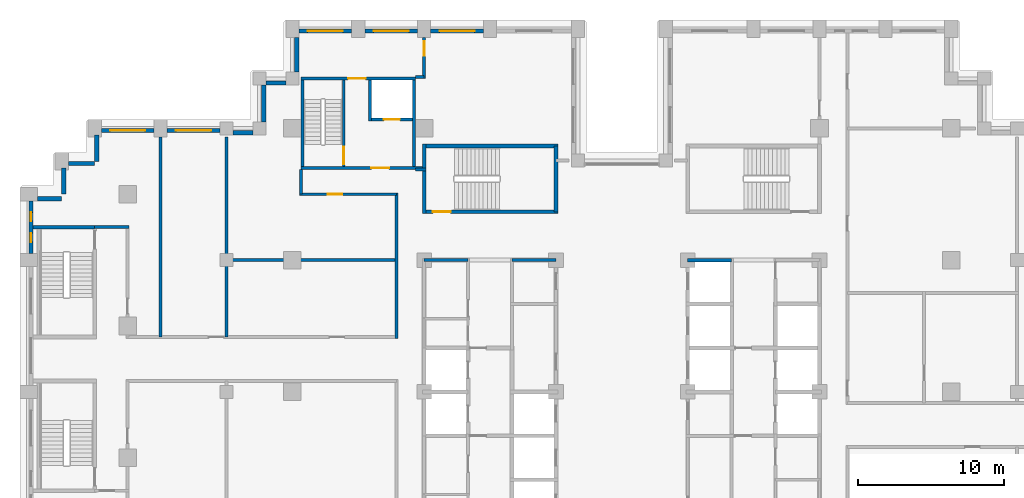
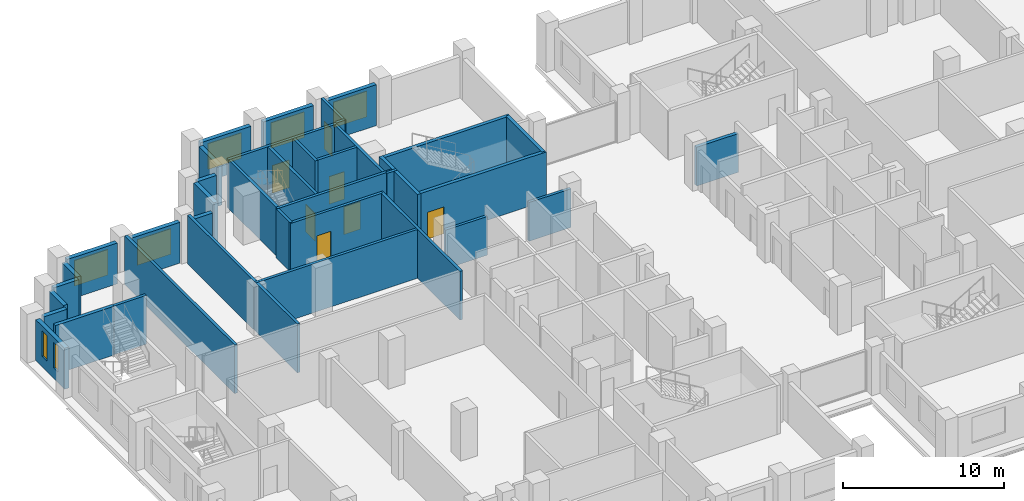
# One storey, part 10 of 16: 39 walls, 7 doors, 7 windows, 14 openings.
"""IFC4 building model written with IfcOpenShell, lengths in metres."""

from ifc_helpers import new_model, si_unit, direction, frame, frame_2d, origin, place, context, subcontext, project, spatial, rectangle, extrude, material, layer, layer_set, type_object, element, fill, save


model = new_model("IFC4")

# Units and contexts
model_context = context("Model", 3, precision=1e-05, world=origin(), true_north=direction((0.0, 1.0)))
body_context = subcontext(model_context, "Body", "Model", "MODEL_VIEW")
ifc_project = project(units=[si_unit("LENGTHUNIT", "METRE"), si_unit("AREAUNIT", "SQUARE_METRE"), si_unit("VOLUMEUNIT", "CUBIC_METRE"), si_unit("PLANEANGLEUNIT", "RADIAN"), si_unit("MASSUNIT", "GRAM", prefix="KILO")], contexts=[model_context])

# Site, building, storey
site_placement = place(None, origin())
site = spatial("IfcSite", under=ifc_project, at=site_placement, CompositionType="ELEMENT")
building_placement = place(site_placement, origin())
building = spatial("IfcBuilding", under=site, at=building_placement, Name="Corbelhall Arena Tower", CompositionType="ELEMENT")
storey_placement = place(building_placement, frame((0.0, 0.0, 76.0)))
storey = spatial("IfcBuildingStorey", under=building, at=storey_placement, Name="L11", CompositionType="ELEMENT", Elevation=76.0)

# Walls
ifc_material_1 = material(Name="Precast concrete C40/50 with granite facing", Category="masonry")
ifc_layer_1 = layer(ifc_material_1, 0.300048828125)
ifc_layer_set_1 = layer_set([ifc_layer_1], Name="EV-IW1 Infill panel 300")
wall_type_1 = type_object("IfcWallType", Name="EV-IW1 Infill panel 300", PredefinedType="SOLIDWALL", material=ifc_layer_set_1)
for number, where, z_axis, x_axis, name in (
    (1, (-35.85009765625, 17.550048828125, 0.0), (0.0, 0.0, 1.0), (0.0, -1.0, 0.0), "Infill panel IW1"),
    (2, (-37.800048828125, 15.60009765625, 0.0), (0.0, 0.0, 1.0), (1.0, 0.0, 0.0), "Infill panel IW1"),
    (3, (-38.10009765625, 15.300048828125, 0.0), (0.0, 0.0, 1.0), (0.0, -1.0, 0.0), "Infill panel IW1"),
):
    element("IfcWall", number, at=place(storey_placement, frame(where, z_axis=z_axis, x_axis=x_axis)), inside=storey, type_object=wall_type_1, Name=name, PredefinedType="SOLIDWALL", context=body_context, shape_type="SweptSolid", body=[
        extrude(rectangle(XDim=1.800048828125, YDim=0.300048828125, at=frame_2d((0.89990234375, 0.0))), origin(), (0.0, 0.0, 1.0), 3.10009765625),
    ])
wall_1_placement = place(storey_placement, frame((-39.89990234375, 13.199951171875, 0.0), z_axis=(0.0, 0.0, 1.0), x_axis=(1.0, 0.0, 0.0)))
element("IfcWall", 4, at=wall_1_placement, inside=storey, type_object=wall_type_1, Name="Infill panel IW1", PredefinedType="SOLIDWALL", context=body_context, shape_type="SweptSolid", body=[
    extrude(rectangle(XDim=1.64990234375, YDim=0.300048828125, at=frame_2d((0.824951171875, 0.0))), origin(), (0.0, 0.0, 1.0), 3.10009765625),
])
wall_2_placement = place(storey_placement, frame((-22.199951171875, 24.199951171875, 0.0), z_axis=(0.0, 0.0, 1.0), x_axis=(0.0, -1.0, 0.0)))
element("IfcWall", 5, at=wall_2_placement, inside=storey, type_object=wall_type_1, Name="Infill panel IW1", PredefinedType="SOLIDWALL", context=body_context, shape_type="SweptSolid", body=[
    extrude(rectangle(XDim=2.349853515625, YDim=0.300048828125, at=frame_2d((1.1748046875, 0.0))), origin(), (0.0, 0.0, 1.0), 3.10009765625),
])
wall_3_placement = place(storey_placement, frame((-22.949951171875, 21.10009765625, 0.0), z_axis=(0.0, 0.0, 1.0), x_axis=(-1.0, 0.0, 0.0)))
element("IfcWall", 6, at=wall_3_placement, inside=storey, type_object=wall_type_1, Name="Infill panel IW1", PredefinedType="SOLIDWALL", context=body_context, shape_type="SweptSolid", body=[
    extrude(rectangle(XDim=1.35009765625, YDim=0.300048828125, at=frame_2d((0.675048828125, 0.0))), origin(), (0.0, 0.0, 1.0), 3.10009765625),
])
wall_4_placement = place(storey_placement, frame((-24.449951171875, 20.949951171875, 0.0), z_axis=(0.0, 0.0, 1.0), x_axis=(0.0, -1.0, 0.0)))
element("IfcWall", 7, at=wall_4_placement, inside=storey, type_object=wall_type_1, Name="Infill panel IW1", PredefinedType="SOLIDWALL", context=body_context, shape_type="SweptSolid", body=[
    extrude(rectangle(XDim=2.5, YDim=0.300048828125, at=frame_2d((1.25, 0.0))), origin(), (0.0, 0.0, 1.0), 3.10009765625),
])
wall_5_placement = place(storey_placement, frame((-25.199951171875, 17.699951171875, 0.0), z_axis=(0.0, 0.0, 1.0), x_axis=(-1.0, 0.0, 0.0)))
element("IfcWall", 8, at=wall_5_placement, inside=storey, type_object=wall_type_1, Name="Infill panel IW1", PredefinedType="SOLIDWALL", context=body_context, shape_type="SweptSolid", body=[
    extrude(rectangle(XDim=1.35009765625, YDim=0.300048828125, at=frame_2d((0.675048828125, 0.0))), origin(), (0.0, 0.0, 1.0), 3.10009765625),
])

# Wall, opening, window
wall_6_placement = place(storey_placement, frame((-27.449951171875, 17.85009765625, 0.0), z_axis=(0.0, 0.0, 1.0), x_axis=(-1.0, 0.0, 0.0)))
wall_6 = element("IfcWall", 9, at=wall_6_placement, inside=storey, type_object=wall_type_1, Name="Infill panel IW1", PredefinedType="SOLIDWALL", context=body_context, shape_type="SweptSolid", body=[
    extrude(rectangle(XDim=3.60009765625, YDim=0.300048828125, at=frame_2d((1.800048828125, 0.0))), origin(), (0.0, 0.0, 1.0), 3.10009765625),
])
opening_1_placement = place(wall_6_placement, frame((0.60009765625, 0.0, 0.800048828125)))
opening_1 = element("IfcOpeningElement", 10, at=opening_1_placement, cuts=wall_6, Name="Opening WN1", PredefinedType="OPENING", context=body_context, shape_type="SweptSolid", body=[
    extrude(rectangle(XDim=2.39990234375, YDim=1.949951171875, at=frame_2d((1.199951171875, 0.97509765625))), frame((0.0, 0.14990234375, 0.0), z_axis=(0.0, -1.0, 0.0), x_axis=(1.0, 0.0, 0.0)), (0.0, 0.0, 1.0), 0.300048828125),
])
ifc_material_2 = material(Name="Aluminium black anodised", Category="aluminium")
window_type_1 = type_object("IfcWindowType", Name="EV-WN1 Office window", PartitioningType="SINGLE_PANEL", PredefinedType="WINDOW", material=ifc_material_2)
window_1_placement = place(opening_1_placement, origin())
window_1 = element("IfcWindow", 11, at=window_1_placement, inside=storey, type_object=window_type_1, Name="Window WN1", OverallHeight=1.949951171875, OverallWidth=2.39990234375, PartitioningType="SINGLE_PANEL", PredefinedType="WINDOW", context=body_context, shape_type="SweptSolid", body=[
    extrude(rectangle(XDim=2.39990234375, YDim=1.949951171875, at=frame_2d((1.199951171875, 0.97509765625))), frame((0.0, 0.030029296875, 0.0), z_axis=(0.0, -1.0, 0.0), x_axis=(1.0, 0.0, 0.0)), (0.0, 0.0, 1.0), 0.06005859375),
])
fill(opening_1, window_1)

wall_7_placement = place(storey_placement, frame((-31.949951171875, 17.85009765625, 0.0), z_axis=(0.0, 0.0, 1.0), x_axis=(-1.0, 0.0, 0.0)))
wall_7 = element("IfcWall", 12, at=wall_7_placement, inside=storey, type_object=wall_type_1, Name="Infill panel IW1", PredefinedType="SOLIDWALL", context=body_context, shape_type="SweptSolid", body=[
    extrude(rectangle(XDim=3.60009765625, YDim=0.300048828125, at=frame_2d((1.800048828125, 0.0))), origin(), (0.0, 0.0, 1.0), 3.10009765625),
])
opening_2_placement = place(wall_7_placement, frame((0.60009765625, 0.0, 0.800048828125)))
opening_2 = element("IfcOpeningElement", 13, at=opening_2_placement, cuts=wall_7, Name="Opening WN1", PredefinedType="OPENING", context=body_context, shape_type="SweptSolid", body=[
    extrude(rectangle(XDim=2.39990234375, YDim=1.949951171875, at=frame_2d((1.199951171875, 0.97509765625))), frame((0.0, 0.14990234375, 0.0), z_axis=(0.0, -1.0, 0.0), x_axis=(1.0, 0.0, 0.0)), (0.0, 0.0, 1.0), 0.300048828125),
])
window_2_placement = place(opening_2_placement, origin())
window_2 = element("IfcWindow", 14, at=window_2_placement, inside=storey, type_object=window_type_1, Name="Window WN1", OverallHeight=1.949951171875, OverallWidth=2.39990234375, PartitioningType="SINGLE_PANEL", PredefinedType="WINDOW", context=body_context, shape_type="SweptSolid", body=[
    extrude(rectangle(XDim=2.39990234375, YDim=1.949951171875, at=frame_2d((1.199951171875, 0.97509765625))), frame((0.0, 0.030029296875, 0.0), z_axis=(0.0, -1.0, 0.0), x_axis=(1.0, 0.0, 0.0)), (0.0, 0.0, 1.0), 0.06005859375),
])
fill(opening_2, window_2)

# Wall, openings, windows
wall_8_placement = place(storey_placement, frame((-40.35009765625, 13.050048828125, 0.0), z_axis=(0.0, 0.0, 1.0), x_axis=(0.0, -1.0, 0.0)))
wall_8 = element("IfcWall", 15, at=wall_8_placement, inside=storey, type_object=wall_type_1, Name="Infill panel IW1", PredefinedType="SOLIDWALL", context=body_context, shape_type="SweptSolid", body=[
    extrude(rectangle(XDim=3.60009765625, YDim=0.300048828125, at=frame_2d((1.800048828125, 0.0))), origin(), (0.0, 0.0, 1.0), 3.10009765625),
])
opening_3_placement = place(wall_8_placement, frame((0.78759765625, 0.0, 0.800048828125)))
opening_3 = element("IfcOpeningElement", 16, at=opening_3_placement, cuts=wall_8, Name="Opening WN5", PredefinedType="OPENING", context=body_context, shape_type="SweptSolid", body=[
    extrude(rectangle(XDim=0.60009765625, YDim=1.949951171875, at=frame_2d((0.300048828125, 0.97509765625))), frame((0.0, 0.14990234375, 0.0), z_axis=(0.0, -1.0, 0.0), x_axis=(1.0, 0.0, 0.0)), (0.0, 0.0, 1.0), 0.300048828125),
])
opening_4_placement = place(wall_8_placement, frame((2.21240234375, 0.0, 0.800048828125)))
opening_4 = element("IfcOpeningElement", 17, at=opening_4_placement, cuts=wall_8, Name="Opening WN5", PredefinedType="OPENING", context=body_context, shape_type="SweptSolid", body=[
    extrude(rectangle(XDim=0.60009765625, YDim=1.949951171875, at=frame_2d((0.300048828125, 0.97509765625))), frame((0.0, 0.14990234375, 0.0), z_axis=(0.0, -1.0, 0.0), x_axis=(1.0, 0.0, 0.0)), (0.0, 0.0, 1.0), 0.300048828125),
])
window_type_2 = type_object("IfcWindowType", Name="EV-WN5 Office window 600", PartitioningType="SINGLE_PANEL", PredefinedType="WINDOW", material=ifc_material_2)
window_3_placement = place(opening_3_placement, origin())
window_3 = element("IfcWindow", 18, at=window_3_placement, inside=storey, type_object=window_type_2, Name="Window WN5", OverallHeight=1.949951171875, OverallWidth=0.60009765625, PartitioningType="SINGLE_PANEL", PredefinedType="WINDOW", context=body_context, shape_type="SweptSolid", body=[
    extrude(rectangle(XDim=0.60009765625, YDim=1.949951171875, at=frame_2d((0.300048828125, 0.97509765625))), frame((0.0, 0.030029296875, 0.0), z_axis=(0.0, -1.0, 0.0), x_axis=(1.0, 0.0, 0.0)), (0.0, 0.0, 1.0), 0.06005859375),
])
fill(opening_3, window_3)
window_4_placement = place(opening_4_placement, origin())
window_4 = element("IfcWindow", 19, at=window_4_placement, inside=storey, type_object=window_type_2, Name="Window WN5", OverallHeight=1.949951171875, OverallWidth=0.60009765625, PartitioningType="SINGLE_PANEL", PredefinedType="WINDOW", context=body_context, shape_type="SweptSolid", body=[
    extrude(rectangle(XDim=0.60009765625, YDim=1.949951171875, at=frame_2d((0.300048828125, 0.97509765625))), frame((0.0, 0.030029296875, 0.0), z_axis=(0.0, -1.0, 0.0), x_axis=(1.0, 0.0, 0.0)), (0.0, 0.0, 1.0), 0.06005859375),
])
fill(opening_4, window_4)

# Wall, opening, window
wall_9_placement = place(storey_placement, frame((-9.449951171875, 24.64990234375, 0.0), z_axis=(0.0, 0.0, 1.0), x_axis=(-1.0, 0.0, 0.0)))
wall_9 = element("IfcWall", 20, at=wall_9_placement, inside=storey, type_object=wall_type_1, Name="Infill panel IW1", PredefinedType="SOLIDWALL", context=body_context, shape_type="SweptSolid", body=[
    extrude(rectangle(XDim=3.60009765625, YDim=0.300048828125, at=frame_2d((1.800048828125, 0.0))), origin(), (0.0, 0.0, 1.0), 3.10009765625),
])
opening_5_placement = place(wall_9_placement, frame((0.60009765625, 0.0, 0.800048828125)))
opening_5 = element("IfcOpeningElement", 21, at=opening_5_placement, cuts=wall_9, Name="Opening WN1", PredefinedType="OPENING", context=body_context, shape_type="SweptSolid", body=[
    extrude(rectangle(XDim=2.39990234375, YDim=1.949951171875, at=frame_2d((1.199951171875, 0.97509765625))), frame((0.0, 0.14990234375, 0.0), z_axis=(0.0, -1.0, 0.0), x_axis=(1.0, 0.0, 0.0)), (0.0, 0.0, 1.0), 0.300048828125),
])
window_5_placement = place(opening_5_placement, origin())
window_5 = element("IfcWindow", 22, at=window_5_placement, inside=storey, type_object=window_type_1, Name="Window WN1", OverallHeight=1.949951171875, OverallWidth=2.39990234375, PartitioningType="SINGLE_PANEL", PredefinedType="WINDOW", context=body_context, shape_type="SweptSolid", body=[
    extrude(rectangle(XDim=2.39990234375, YDim=1.949951171875, at=frame_2d((1.199951171875, 0.97509765625))), frame((0.0, 0.030029296875, 0.0), z_axis=(0.0, -1.0, 0.0), x_axis=(1.0, 0.0, 0.0)), (0.0, 0.0, 1.0), 0.06005859375),
])
fill(opening_5, window_5)

wall_10_placement = place(storey_placement, frame((-13.949951171875, 24.64990234375, 0.0), z_axis=(0.0, 0.0, 1.0), x_axis=(-1.0, 0.0, 0.0)))
wall_10 = element("IfcWall", 23, at=wall_10_placement, inside=storey, type_object=wall_type_1, Name="Infill panel IW1", PredefinedType="SOLIDWALL", context=body_context, shape_type="SweptSolid", body=[
    extrude(rectangle(XDim=3.60009765625, YDim=0.300048828125, at=frame_2d((1.800048828125, 0.0))), origin(), (0.0, 0.0, 1.0), 3.10009765625),
])
opening_6_placement = place(wall_10_placement, frame((0.60009765625, 0.0, 0.800048828125)))
opening_6 = element("IfcOpeningElement", 24, at=opening_6_placement, cuts=wall_10, Name="Opening WN1", PredefinedType="OPENING", context=body_context, shape_type="SweptSolid", body=[
    extrude(rectangle(XDim=2.39990234375, YDim=1.949951171875, at=frame_2d((1.199951171875, 0.97509765625))), frame((0.0, 0.14990234375, 0.0), z_axis=(0.0, -1.0, 0.0), x_axis=(1.0, 0.0, 0.0)), (0.0, 0.0, 1.0), 0.300048828125),
])
window_6_placement = place(opening_6_placement, origin())
window_6 = element("IfcWindow", 25, at=window_6_placement, inside=storey, type_object=window_type_1, Name="Window WN1", OverallHeight=1.949951171875, OverallWidth=2.39990234375, PartitioningType="SINGLE_PANEL", PredefinedType="WINDOW", context=body_context, shape_type="SweptSolid", body=[
    extrude(rectangle(XDim=2.39990234375, YDim=1.949951171875, at=frame_2d((1.199951171875, 0.97509765625))), frame((0.0, 0.030029296875, 0.0), z_axis=(0.0, -1.0, 0.0), x_axis=(1.0, 0.0, 0.0)), (0.0, 0.0, 1.0), 0.06005859375),
])
fill(opening_6, window_6)

wall_11_placement = place(storey_placement, frame((-18.449951171875, 24.64990234375, 0.0), z_axis=(0.0, 0.0, 1.0), x_axis=(-1.0, 0.0, 0.0)))
wall_11 = element("IfcWall", 26, at=wall_11_placement, inside=storey, type_object=wall_type_1, Name="Infill panel IW1", PredefinedType="SOLIDWALL", context=body_context, shape_type="SweptSolid", body=[
    extrude(rectangle(XDim=3.60009765625, YDim=0.300048828125, at=frame_2d((1.800048828125, 0.0))), origin(), (0.0, 0.0, 1.0), 3.10009765625),
])
opening_7_placement = place(wall_11_placement, frame((0.60009765625, 0.0, 0.800048828125)))
opening_7 = element("IfcOpeningElement", 27, at=opening_7_placement, cuts=wall_11, Name="Opening WN1", PredefinedType="OPENING", context=body_context, shape_type="SweptSolid", body=[
    extrude(rectangle(XDim=2.39990234375, YDim=1.949951171875, at=frame_2d((1.199951171875, 0.97509765625))), frame((0.0, 0.14990234375, 0.0), z_axis=(0.0, -1.0, 0.0), x_axis=(1.0, 0.0, 0.0)), (0.0, 0.0, 1.0), 0.300048828125),
])
window_7_placement = place(opening_7_placement, origin())
window_7 = element("IfcWindow", 28, at=window_7_placement, inside=storey, type_object=window_type_1, Name="Window WN1", OverallHeight=1.949951171875, OverallWidth=2.39990234375, PartitioningType="SINGLE_PANEL", PredefinedType="WINDOW", context=body_context, shape_type="SweptSolid", body=[
    extrude(rectangle(XDim=2.39990234375, YDim=1.949951171875, at=frame_2d((1.199951171875, 0.97509765625))), frame((0.0, 0.030029296875, 0.0), z_axis=(0.0, -1.0, 0.0), x_axis=(1.0, 0.0, 0.0)), (0.0, 0.0, 1.0), 0.06005859375),
])
fill(opening_7, window_7)

# Walls
ifc_material_3 = material(Name="Gypsum board on steel stud, acoustic", Category="steel")
ifc_layer_2 = layer(ifc_material_3, 0.199951171875)
ifc_layer_set_2 = layer_set([ifc_layer_2], Name="IN-W-DM200")
wall_type_2 = type_object("IfcWallType", Name="IN-W-DM200", PredefinedType="PARTITIONING", material=ifc_layer_set_2)
wall_12_placement = place(storey_placement, frame((-36.0, 11.25, 0.0), z_axis=(0.0, 0.0, 1.0), x_axis=(1.0, 0.0, 0.0)))
element("IfcWall", 29, at=wall_12_placement, inside=storey, type_object=wall_type_2, Name="Partition 001", PredefinedType="PARTITIONING", context=body_context, shape_type="SweptSolid", body=[
    extrude(rectangle(XDim=2.35009765625, YDim=0.199951171875, at=frame_2d((1.175048828125, 0.0))), origin(), (0.0, 0.0, 1.0), 3.699951171875),
])
wall_13_placement = place(storey_placement, frame((-31.5, 17.39990234375, 0.0), z_axis=(0.0, 0.0, 1.0), x_axis=(0.0, -1.0, 0.0)))
element("IfcWall", 30, at=wall_13_placement, inside=storey, type_object=wall_type_2, Name="Partition 006", PredefinedType="PARTITIONING", context=body_context, shape_type="SweptSolid", body=[
    extrude(rectangle(XDim=13.64990234375, YDim=0.199951171875, at=frame_2d((6.824951171875, 0.0))), origin(), (0.0, 0.0, 1.0), 3.699951171875),
])
wall_14_placement = place(storey_placement, frame((-27.10009765625, 9.0, 0.0), z_axis=(0.0, 0.0, 1.0), x_axis=(1.0, 0.0, 0.0)))
element("IfcWall", 31, at=wall_14_placement, inside=storey, type_object=wall_type_2, Name="Partition 007", PredefinedType="PARTITIONING", context=body_context, shape_type="SweptSolid", body=[
    extrude(rectangle(XDim=11.7001953125, YDim=0.199951171875, at=frame_2d((5.85009765625, 0.0))), origin(), (0.0, 0.0, 1.0), 3.699951171875),
])
wall_15_placement = place(storey_placement, frame((-27.0, 3.75, 0.0), z_axis=(0.0, 0.0, 1.0), x_axis=(0.0, 1.0, 0.0)))
element("IfcWall", 32, at=wall_15_placement, inside=storey, type_object=wall_type_2, Name="Partition 009", PredefinedType="PARTITIONING", context=body_context, shape_type="SweptSolid", body=[
    extrude(rectangle(XDim=13.64990234375, YDim=0.199951171875, at=frame_2d((6.824951171875, 0.0))), origin(), (0.0, 0.0, 1.0), 3.699951171875),
])
wall_16_placement = place(storey_placement, frame((-21.89990234375, 13.5, 0.0), z_axis=(0.0, 0.0, 1.0), x_axis=(0.0, 1.0, 0.0)))
element("IfcWall", 33, at=wall_16_placement, inside=storey, type_object=wall_type_2, Name="Partition 013", PredefinedType="PARTITIONING", context=body_context, shape_type="SweptSolid", body=[
    extrude(rectangle(XDim=1.699951171875, YDim=0.199951171875, at=frame_2d((0.85009765625, 0.0))), origin(), (0.0, 0.0, 1.0), 3.699951171875),
])
wall_17_placement = place(storey_placement, frame((-15.39990234375, 3.64990234375, 0.0), z_axis=(0.0, 0.0, 1.0), x_axis=(0.0, 1.0, 0.0)))
element("IfcWall", 34, at=wall_17_placement, inside=storey, type_object=wall_type_2, Name="Partition 017", PredefinedType="PARTITIONING", context=body_context, shape_type="SweptSolid", body=[
    extrude(rectangle(XDim=9.9501953125, YDim=0.199951171875, at=frame_2d((4.97509765625, 0.0))), origin(), (0.0, 0.0, 1.0), 3.699951171875),
])

# Wall, opening, door
wall_18_placement = place(storey_placement, frame((-15.39990234375, 13.5, 0.0), z_axis=(0.0, 0.0, 1.0), x_axis=(-1.0, 0.0, 0.0)))
wall_18 = element("IfcWall", 35, at=wall_18_placement, inside=storey, type_object=wall_type_2, Name="Partition 018", PredefinedType="PARTITIONING", context=body_context, shape_type="SweptSolid", body=[
    extrude(rectangle(XDim=6.60009765625, YDim=0.199951171875, at=frame_2d((3.300048828125, 0.0))), origin(), (0.0, 0.0, 1.0), 3.699951171875),
])
opening_8_placement = place(wall_18_placement, frame((3.699951171875, 0.0, 0.0)))
opening_8 = element("IfcOpeningElement", 36, at=opening_8_placement, cuts=wall_18, Name="Opening 01028", PredefinedType="OPENING", context=body_context, shape_type="SweptSolid", body=[
    extrude(rectangle(XDim=1.0, YDim=2.10009765625, at=frame_2d((0.5, 1.050048828125))), frame((0.0, 0.10009765625, 0.0), z_axis=(0.0, -1.0, 0.0), x_axis=(1.0, 0.0, 0.0)), (0.0, 0.0, 1.0), 0.199951171875),
])
ifc_material_4 = material(Name="Steel door set", Category="steel")
door_type_1 = type_object("IfcDoorType", Name="IN-D-SW100", OperationType="NOTDEFINED", PredefinedType="DOOR", material=ifc_material_4)
door_1_placement = place(opening_8_placement, origin())
door_1 = element("IfcDoor", 37, at=door_1_placement, inside=storey, type_object=door_type_1, Name="Door 028", OperationType="SINGLE_SWING_LEFT", OverallHeight=2.10009765625, OverallWidth=1.0, PredefinedType="DOOR", context=body_context, shape_type="SweptSolid", body=[
    extrude(rectangle(XDim=1.0, YDim=2.10009765625, at=frame_2d((0.5, 1.050048828125))), frame((0.0, 0.02490234375, 0.0), z_axis=(0.0, -1.0, 0.0), x_axis=(1.0, 0.0, 0.0)), (0.0, 0.0, 1.0), 0.050048828125),
])
fill(opening_8, door_1)

# Walls
wall_19_placement = place(storey_placement, frame((-14.10009765625, 15.199951171875, 0.0), z_axis=(0.0, 0.0, 1.0), x_axis=(1.0, 0.0, 0.0)))
element("IfcWall", 38, at=wall_19_placement, inside=storey, type_object=wall_type_2, Name="Partition 019", PredefinedType="PARTITIONING", context=body_context, shape_type="SweptSolid", body=[
    extrude(rectangle(XDim=0.72509765625, YDim=0.199951171875, at=frame_2d((0.362548828125, 0.0))), origin(), (0.0, 0.0, 1.0), 3.699951171875),
])
wall_20_placement = place(storey_placement, frame((-13.5, 21.5, 0.0), z_axis=(0.0, 0.0, 1.0), x_axis=(-1.0, 0.0, 0.0)))
element("IfcWall", 39, at=wall_20_placement, inside=storey, type_object=wall_type_2, Name="Partition 021", PredefinedType="PARTITIONING", context=body_context, shape_type="SweptSolid", body=[
    extrude(rectangle(XDim=0.60009765625, YDim=0.199951171875, at=frame_2d((0.300048828125, 0.0))), origin(), (0.0, 0.0, 1.0), 3.699951171875),
])

# Wall, opening, door
wall_21_placement = place(storey_placement, frame((-13.5, 24.199951171875, 0.0), z_axis=(0.0, 0.0, 1.0), x_axis=(0.0, -1.0, 0.0)))
wall_21 = element("IfcWall", 40, at=wall_21_placement, inside=storey, type_object=wall_type_2, Name="Partition 022", PredefinedType="PARTITIONING", context=body_context, shape_type="SweptSolid", body=[
    extrude(rectangle(XDim=2.800048828125, YDim=0.199951171875, at=frame_2d((1.39990234375, 0.0))), origin(), (0.0, 0.0, 1.0), 3.699951171875),
])
opening_9_placement = place(wall_21_placement, frame((0.25, 0.0, 0.0)))
opening_9 = element("IfcOpeningElement", 41, at=opening_9_placement, cuts=wall_21, Name="Opening 01023", PredefinedType="OPENING", context=body_context, shape_type="SweptSolid", body=[
    extrude(rectangle(XDim=1.0, YDim=2.10009765625, at=frame_2d((0.5, 1.050048828125))), frame((0.0, 0.10009765625, 0.0), z_axis=(0.0, -1.0, 0.0), x_axis=(1.0, 0.0, 0.0)), (0.0, 0.0, 1.0), 0.199951171875),
])
door_2_placement = place(opening_9_placement, origin())
door_2 = element("IfcDoor", 42, at=door_2_placement, inside=storey, type_object=door_type_1, Name="Door 023", OperationType="SINGLE_SWING_RIGHT", OverallHeight=2.10009765625, OverallWidth=1.0, PredefinedType="DOOR", context=body_context, shape_type="SweptSolid", body=[
    extrude(rectangle(XDim=1.0, YDim=2.10009765625, at=frame_2d((0.5, 1.050048828125))), frame((0.0, 0.02490234375, 0.0), z_axis=(0.0, -1.0, 0.0), x_axis=(1.0, 0.0, 0.0)), (0.0, 0.0, 1.0), 0.050048828125),
])
fill(opening_9, door_2)

ifc_material_5 = material(Name="Concrete C40/50", Category="concrete")
ifc_layer_3 = layer(ifc_material_5, 0.199951171875)
ifc_layer_set_3 = layer_set([ifc_layer_3], Name="IN-W-EAR200")
wall_type_3 = type_object("IfcWallType", Name="IN-W-EAR200", PredefinedType="SOLIDWALL", material=ifc_layer_set_3)
wall_22_placement = place(storey_placement, frame((-21.89990234375, 15.300048828125, 0.0), z_axis=(0.0, 0.0, 1.0), x_axis=(1.0, 0.0, 0.0)))
wall_22 = element("IfcWall", 43, at=wall_22_placement, inside=storey, type_object=wall_type_3, Name="Fire service turret wall south", PredefinedType="SOLIDWALL", context=body_context, shape_type="SweptSolid", body=[
    extrude(rectangle(XDim=8.27490234375, YDim=0.199951171875, at=frame_2d((4.137451171875, 0.0))), origin(), (0.0, 0.0, 1.0), 3.699951171875),
])
opening_10_placement = place(wall_22_placement, frame((4.800048828125, 0.0, 0.0)))
opening_10 = element("IfcOpeningElement", 44, at=opening_10_placement, cuts=wall_22, Name="Opening E012", PredefinedType="OPENING", context=body_context, shape_type="SweptSolid", body=[
    extrude(rectangle(XDim=1.199951171875, YDim=2.10009765625, at=frame_2d((0.60009765625, 1.050048828125))), frame((0.0, 0.10009765625, 0.0), z_axis=(0.0, -1.0, 0.0), x_axis=(1.0, 0.0, 0.0)), (0.0, 0.0, 1.0), 0.199951171875),
])
door_type_2 = type_object("IfcDoorType", Name="IN-D-ST120", OperationType="NOTDEFINED", PredefinedType="DOOR", material=ifc_material_4)
door_3_placement = place(opening_10_placement, origin())
door_3 = element("IfcDoor", 45, at=door_3_placement, inside=storey, type_object=door_type_2, Name="Door from fire service lift lobby to circulation", OperationType="SINGLE_SWING_RIGHT", OverallHeight=2.10009765625, OverallWidth=1.199951171875, PredefinedType="DOOR", context=body_context, shape_type="SweptSolid", body=[
    extrude(rectangle(XDim=1.199951171875, YDim=2.10009765625, at=frame_2d((0.60009765625, 1.050048828125))), frame((0.0, 0.02490234375, 0.0), z_axis=(0.0, -1.0, 0.0), x_axis=(1.0, 0.0, 0.0)), (0.0, 0.0, 1.0), 0.050048828125),
])
fill(opening_10, door_3)

wall_23_placement = place(storey_placement, frame((-21.89990234375, 21.39990234375, 0.0), z_axis=(0.0, 0.0, 1.0), x_axis=(1.0, 0.0, 0.0)))
wall_23 = element("IfcWall", 46, at=wall_23_placement, inside=storey, type_object=wall_type_3, Name="Fire service turret wall north", PredefinedType="SOLIDWALL", context=body_context, shape_type="SweptSolid", body=[
    extrude(rectangle(XDim=7.7998046875, YDim=0.199951171875, at=frame_2d((3.89990234375, 0.0))), origin(), (0.0, 0.0, 1.0), 3.699951171875),
])
opening_11_placement = place(wall_23_placement, frame((3.199951171875, 0.0, 0.0)))
opening_11 = element("IfcOpeningElement", 47, at=opening_11_placement, cuts=wall_23, Name="Opening E013", PredefinedType="OPENING", context=body_context, shape_type="SweptSolid", body=[
    extrude(rectangle(XDim=1.199951171875, YDim=2.10009765625, at=frame_2d((0.60009765625, 1.050048828125))), frame((0.0, 0.10009765625, 0.0), z_axis=(0.0, -1.0, 0.0), x_axis=(1.0, 0.0, 0.0)), (0.0, 0.0, 1.0), 0.199951171875),
])
door_4_placement = place(opening_11_placement, origin())
door_4 = element("IfcDoor", 48, at=door_4_placement, inside=storey, type_object=door_type_2, Name="Door from fire service lift lobby to the north gallery", OperationType="SINGLE_SWING_LEFT", OverallHeight=2.10009765625, OverallWidth=1.199951171875, PredefinedType="DOOR", context=body_context, shape_type="SweptSolid", body=[
    extrude(rectangle(XDim=1.199951171875, YDim=2.10009765625, at=frame_2d((0.60009765625, 1.050048828125))), frame((0.0, 0.02490234375, 0.0), z_axis=(0.0, -1.0, 0.0), x_axis=(1.0, 0.0, 0.0)), (0.0, 0.0, 1.0), 0.050048828125),
])
fill(opening_11, door_4)

# Walls
for number, where, z_axis, x_axis, name in (
    (49, (-21.800048828125, 15.39990234375, 0.0), (0.0, 0.0, 1.0), (0.0, 1.0, 0.0), "Fire service turret wall west"),
    (50, (-14.199951171875, 15.39990234375, 0.0), (0.0, 0.0, 1.0), (0.0, 1.0, 0.0), "Fire service turret wall east"),
):
    element("IfcWall", number, at=place(storey_placement, frame(where, z_axis=z_axis, x_axis=x_axis)), inside=storey, type_object=wall_type_3, Name=name, PredefinedType="SOLIDWALL", context=body_context, shape_type="SweptSolid", body=[
        extrude(rectangle(XDim=5.900146484375, YDim=0.199951171875, at=frame_2d((2.9501953125, 0.0))), origin(), (0.0, 0.0, 1.0), 3.699951171875),
    ])

# Wall, opening, door
wall_24_placement = place(storey_placement, frame((-18.989990234375, 15.39990234375, 0.0), z_axis=(0.0, 0.0, 1.0), x_axis=(0.0, 1.0, 0.0)))
wall_24 = element("IfcWall", 51, at=wall_24_placement, inside=storey, type_object=wall_type_3, Name="Fire service turret wall stair", PredefinedType="SOLIDWALL", context=body_context, shape_type="SweptSolid", body=[
    extrude(rectangle(XDim=5.900146484375, YDim=0.199951171875, at=frame_2d((2.9501953125, 0.0))), origin(), (0.0, 0.0, 1.0), 3.699951171875),
])
opening_12_placement = place(wall_24_placement, frame((0.14990234375, 0.0, 0.0)))
opening_12 = element("IfcOpeningElement", 52, at=opening_12_placement, cuts=wall_24, Name="Opening E011", PredefinedType="OPENING", context=body_context, shape_type="SweptSolid", body=[
    extrude(rectangle(XDim=1.199951171875, YDim=2.10009765625, at=frame_2d((0.60009765625, 1.050048828125))), frame((0.0, 0.10009765625, 0.0), z_axis=(0.0, -1.0, 0.0), x_axis=(1.0, 0.0, 0.0)), (0.0, 0.0, 1.0), 0.199951171875),
])
door_5_placement = place(opening_12_placement, origin())
door_5 = element("IfcDoor", 53, at=door_5_placement, inside=storey, type_object=door_type_2, Name="Stair door to fire service lobby", OperationType="SINGLE_SWING_LEFT", OverallHeight=2.10009765625, OverallWidth=1.199951171875, PredefinedType="DOOR", context=body_context, shape_type="SweptSolid", body=[
    extrude(rectangle(XDim=1.199951171875, YDim=2.10009765625, at=frame_2d((0.60009765625, 1.050048828125))), frame((0.0, 0.02490234375, 0.0), z_axis=(0.0, -1.0, 0.0), x_axis=(1.0, 0.0, 0.0)), (0.0, 0.0, 1.0), 0.050048828125),
])
fill(opening_12, door_5)

# Wall
wall_25_placement = place(storey_placement, frame((-17.199951171875, 18.5, 0.0), z_axis=(0.0, 0.0, 1.0), x_axis=(0.0, 1.0, 0.0)))
element("IfcWall", 54, at=wall_25_placement, inside=storey, type_object=wall_type_3, Name="Fire service turret wall hoistway west", PredefinedType="SOLIDWALL", context=body_context, shape_type="SweptSolid", body=[
    extrude(rectangle(XDim=2.800048828125, YDim=0.199951171875, at=frame_2d((1.39990234375, 0.0))), origin(), (0.0, 0.0, 1.0), 3.699951171875),
])

# Wall, opening, door
wall_26_placement = place(storey_placement, frame((-17.10009765625, 18.60009765625, 0.0), z_axis=(0.0, 0.0, 1.0), x_axis=(1.0, 0.0, 0.0)))
wall_26 = element("IfcWall", 55, at=wall_26_placement, inside=storey, type_object=wall_type_3, Name="Fire service turret wall hoistway south", PredefinedType="SOLIDWALL", context=body_context, shape_type="SweptSolid", body=[
    extrude(rectangle(XDim=2.800048828125, YDim=0.199951171875, at=frame_2d((1.39990234375, 0.0))), origin(), (0.0, 0.0, 1.0), 3.699951171875),
])
opening_13_placement = place(wall_26_placement, frame((0.85009765625, 0.0, 0.0)))
opening_13 = element("IfcOpeningElement", 56, at=opening_13_placement, cuts=wall_26, Name="Opening LD", PredefinedType="OPENING", context=body_context, shape_type="SweptSolid", body=[
    extrude(rectangle(XDim=1.10009765625, YDim=2.10009765625, at=frame_2d((0.550048828125, 1.050048828125))), frame((0.0, 0.10009765625, 0.0), z_axis=(0.0, -1.0, 0.0), x_axis=(1.0, 0.0, 0.0)), (0.0, 0.0, 1.0), 0.199951171875),
])
door_type_3 = type_object("IfcDoorType", Name="IN-D-LD110", OperationType="NOTDEFINED", PredefinedType="DOOR", material=ifc_material_4)
door_6_placement = place(opening_13_placement, origin())
door_6 = element("IfcDoor", 57, at=door_6_placement, inside=storey, type_object=door_type_3, Name="Landing door FS1", OperationType="SLIDING_TO_LEFT", OverallHeight=2.10009765625, OverallWidth=1.10009765625, PredefinedType="DOOR", context=body_context, shape_type="SweptSolid", body=[
    extrude(rectangle(XDim=1.10009765625, YDim=2.10009765625, at=frame_2d((0.550048828125, 1.050048828125))), frame((0.0, 0.02490234375, 0.0), z_axis=(0.0, -1.0, 0.0), x_axis=(1.0, 0.0, 0.0)), (0.0, 0.0, 1.0), 0.050048828125),
])
fill(opening_13, door_6)

# Walls
ifc_material_6 = material(Name="Concrete block wall", Category="concrete")
ifc_layer_4 = layer(ifc_material_6, 0.199951171875)
ifc_layer_set_4 = layer_set([ifc_layer_4], Name="IN-W-RS200 under beam 762 mm")
wall_type_4 = type_object("IfcWallType", Name="IN-W-RS200 under beam 762 mm", PredefinedType="SOLIDWALL", material=ifc_layer_set_4)
for number, where, z_axis, x_axis, name in (
    (58, (-13.5, 9.0, 0.0), (0.0, 0.0, 1.0), (1.0, 0.0, 0.0), "Partition 046"),
    (59, (-7.5, 9.0, 0.0), (0.0, 0.0, 1.0), (1.0, 0.0, 0.0), "Partition 051"),
):
    element("IfcWall", number, at=place(storey_placement, frame(where, z_axis=z_axis, x_axis=x_axis)), inside=storey, type_object=wall_type_4, Name=name, PredefinedType="SOLIDWALL", context=body_context, shape_type="SweptSolid", body=[
        extrude(rectangle(XDim=3.0, YDim=0.199951171875, at=frame_2d((1.5, 0.0))), origin(), (0.0, 0.0, 1.0), 2.93798828125),
    ])
ifc_layer_5 = layer(ifc_material_5, 0.25)
ifc_layer_set_5 = layer_set([ifc_layer_5], Name="IN-W-SH250 under beam 762 mm")
wall_type_5 = type_object("IfcWallType", Name="IN-W-SH250 under beam 762 mm", PredefinedType="SOLIDWALL", material=ifc_layer_set_5)
wall_27_placement = place(storey_placement, frame((4.5, 9.0, 0.0), z_axis=(0.0, 0.0, 1.0), x_axis=(1.0, 0.0, 0.0)))
element("IfcWall", 60, at=wall_27_placement, inside=storey, type_object=wall_type_5, Name="Shaft wall 076", PredefinedType="SOLIDWALL", context=body_context, shape_type="SweptSolid", body=[
    extrude(rectangle(XDim=3.0, YDim=0.25, at=frame_2d((1.5, 0.0))), origin(), (0.0, 0.0, 1.0), 2.93798828125),
])
ifc_layer_6 = layer(ifc_material_5, 0.25)
ifc_layer_set_6 = layer_set([ifc_layer_6], Name="IN-W-ST250")
wall_type_6 = type_object("IfcWallType", Name="IN-W-ST250", PredefinedType="SOLIDWALL", material=ifc_layer_set_6)
wall_28_placement = place(storey_placement, frame((-40.199951171875, 11.25, 0.0), z_axis=(0.0, 0.0, 1.0), x_axis=(1.0, 0.0, 0.0)))
element("IfcWall", 61, at=wall_28_placement, inside=storey, type_object=wall_type_6, Name="Shaft wall 084", PredefinedType="SOLIDWALL", context=body_context, shape_type="SweptSolid", body=[
    extrude(rectangle(XDim=4.199951171875, YDim=0.25, at=frame_2d((2.10009765625, 0.0))), origin(), (0.0, 0.0, 1.0), 3.699951171875),
])

# Wall, opening, door
wall_29_placement = place(storey_placement, frame((-13.5, 12.300048828125, 0.0), z_axis=(0.0, 0.0, 1.0), x_axis=(1.0, 0.0, 0.0)))
wall_29 = element("IfcWall", 62, at=wall_29_placement, inside=storey, type_object=wall_type_6, Name="Shaft wall 090", PredefinedType="SOLIDWALL", context=body_context, shape_type="SweptSolid", body=[
    extrude(rectangle(XDim=9.125, YDim=0.25, at=frame_2d((4.5625, 0.0))), origin(), (0.0, 0.0, 1.0), 3.699951171875),
])
opening_14_placement = place(wall_29_placement, frame((0.60009765625, 0.0, 0.0)))
opening_14 = element("IfcOpeningElement", 63, at=opening_14_placement, cuts=wall_29, Name="Opening 01015", PredefinedType="OPENING", context=body_context, shape_type="SweptSolid", body=[
    extrude(rectangle(XDim=1.199951171875, YDim=2.10009765625, at=frame_2d((0.60009765625, 1.050048828125))), frame((0.0, 0.125, 0.0), z_axis=(0.0, -1.0, 0.0), x_axis=(1.0, 0.0, 0.0)), (0.0, 0.0, 1.0), 0.25),
])
door_7_placement = place(opening_14_placement, origin())
door_7 = element("IfcDoor", 64, at=door_7_placement, inside=storey, type_object=door_type_2, Name="Door 015", OperationType="SINGLE_SWING_RIGHT", OverallHeight=2.10009765625, OverallWidth=1.199951171875, PredefinedType="DOOR", context=body_context, shape_type="SweptSolid", body=[
    extrude(rectangle(XDim=1.199951171875, YDim=2.10009765625, at=frame_2d((0.60009765625, 1.050048828125))), frame((0.0, 0.02490234375, 0.0), z_axis=(0.0, -1.0, 0.0), x_axis=(1.0, 0.0, 0.0)), (0.0, 0.0, 1.0), 0.050048828125),
])
fill(opening_14, door_7)

# Walls
wall_30_placement = place(storey_placement, frame((-13.5, 12.175048828125, 0.0), z_axis=(0.0, 0.0, 1.0), x_axis=(0.0, 1.0, 0.0)))
element("IfcWall", 65, at=wall_30_placement, inside=storey, type_object=wall_type_6, Name="Shaft wall 091", PredefinedType="SOLIDWALL", context=body_context, shape_type="SweptSolid", body=[
    extrude(rectangle(XDim=4.75, YDim=0.25, at=frame_2d((2.375, 0.0))), origin(), (0.0, 0.0, 1.0), 3.699951171875),
])
wall_31_placement = place(storey_placement, frame((-13.5, 16.800048828125, 0.0), z_axis=(0.0, 0.0, 1.0), x_axis=(1.0, 0.0, 0.0)))
element("IfcWall", 66, at=wall_31_placement, inside=storey, type_object=wall_type_6, Name="Shaft wall 092", PredefinedType="SOLIDWALL", context=body_context, shape_type="SweptSolid", body=[
    extrude(rectangle(XDim=9.125, YDim=0.25, at=frame_2d((4.5625, 0.0))), origin(), (0.0, 0.0, 1.0), 3.699951171875),
])
wall_32_placement = place(storey_placement, frame((-4.5, 16.800048828125, 0.0), z_axis=(0.0, 0.0, 1.0), x_axis=(0.0, -1.0, 0.0)))
element("IfcWall", 67, at=wall_32_placement, inside=storey, type_object=wall_type_6, Name="Shaft wall 095", PredefinedType="SOLIDWALL", context=body_context, shape_type="SweptSolid", body=[
    extrude(rectangle(XDim=4.5, YDim=0.25, at=frame_2d((2.25, 0.0))), origin(), (0.0, 0.0, 1.0), 3.699951171875),
])

save(model, "model.ifc")
